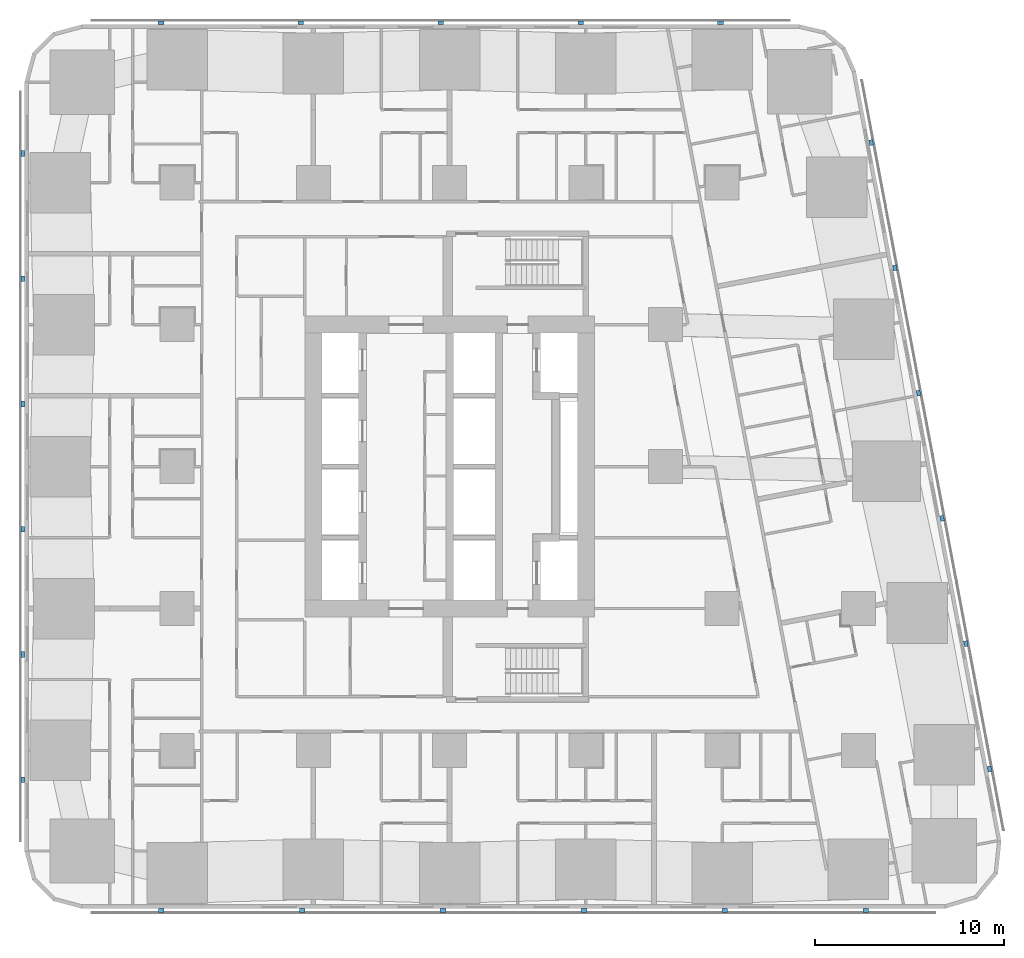
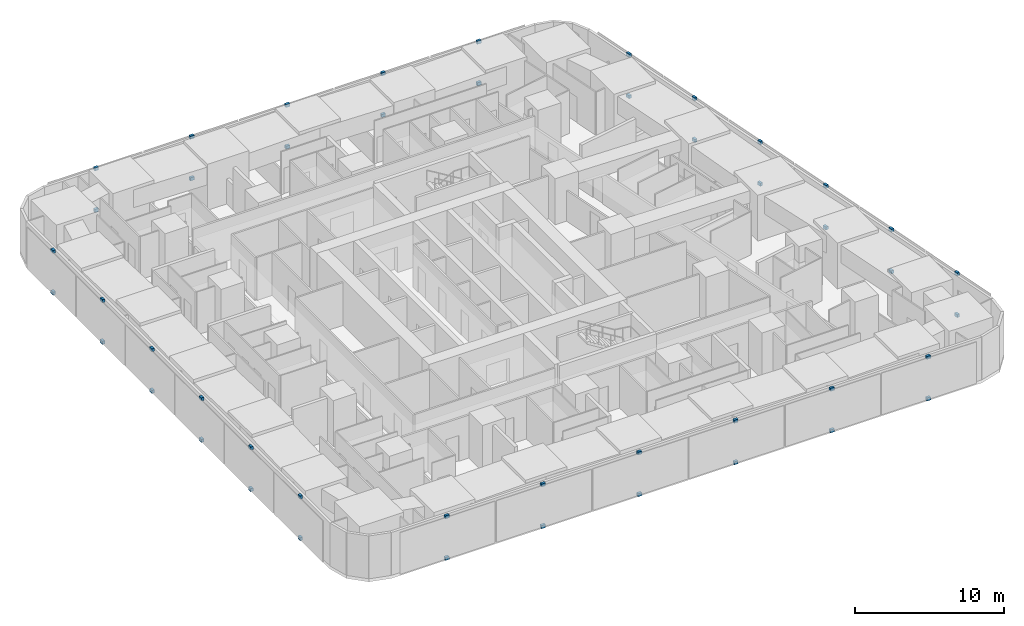
# One storey, part 14 of 17: 46 discrete accessories.
"""IFC4 building model written with IfcOpenShell, lengths in metres."""

from ifc_helpers import new_model, si_unit, direction, frame, origin, origin_2d, place, context, subcontext, project, spatial, rectangle, extrude, material, type_object, element, save


model = new_model("IFC4")

# Units and contexts
model_context = context("Model", 3, precision=1e-05, world=origin(), true_north=direction((0.0, 1.0)))
body_context = subcontext(model_context, "Body", "Model", "MODEL_VIEW")
ifc_project = project(units=[si_unit("LENGTHUNIT", "METRE"), si_unit("AREAUNIT", "SQUARE_METRE"), si_unit("VOLUMEUNIT", "CUBIC_METRE"), si_unit("PLANEANGLEUNIT", "RADIAN"), si_unit("MASSUNIT", "GRAM", prefix="KILO")], contexts=[model_context])

# Site, building, storey
site_placement = place(None, origin())
site = spatial("IfcSite", under=ifc_project, at=site_placement, CompositionType="ELEMENT")
building_placement = place(site_placement, origin())
building = spatial("IfcBuilding", under=site, at=building_placement, Name="Sheger Commons Tower", CompositionType="ELEMENT")
storey_placement = place(building_placement, frame((0.0, 0.0, 23.75)))
storey = spatial("IfcBuildingStorey", under=building, at=storey_placement, Name="L05", CompositionType="ELEMENT", Elevation=23.75)

# Discrete accessories
ifc_material = material(Name="Black painted steel bracket", Category="steel")
discrete_accessory_type = type_object("IfcDiscreteAccessoryType", Name="SCREEN BRACKET 300x200x250", PredefinedType="BRACKET", material=ifc_material)
for number, where, z_axis, x_axis, name in (
    (1, (6.37109375, -0.949951171875, -0.10009765625), (0.0, 0.0, 1.0), (1.0, 0.0, 0.0), "Solar screen foot bracket"),
    (2, (6.37109375, -0.949951171875, 3.300048828125), (0.0, 0.0, 1.0), (1.0, 0.0, 0.0), "Solar screen head bracket"),
    (3, (13.81396484375, -0.949951171875, -0.10009765625), (0.0, 0.0, 1.0), (1.0, 0.0, 0.0), "Solar screen foot bracket"),
    (4, (13.81396484375, -0.949951171875, 3.300048828125), (0.0, 0.0, 1.0), (1.0, 0.0, 0.0), "Solar screen head bracket"),
    (5, (21.257080078125, -0.949951171875, -0.10009765625), (0.0, 0.0, 1.0), (1.0, 0.0, 0.0), "Solar screen foot bracket"),
    (6, (21.257080078125, -0.949951171875, 3.300048828125), (0.0, 0.0, 1.0), (1.0, 0.0, 0.0), "Solar screen head bracket"),
    (7, (28.698974609375, -0.949951171875, -0.10009765625), (0.0, 0.0, 1.0), (1.0, 0.0, 0.0), "Solar screen foot bracket"),
    (8, (28.698974609375, -0.949951171875, 3.300048828125), (0.0, 0.0, 1.0), (1.0, 0.0, 0.0), "Solar screen head bracket"),
    (9, (36.14208984375, -0.949951171875, -0.10009765625), (0.0, 0.0, 1.0), (1.0, 0.0, 0.0), "Solar screen foot bracket"),
    (10, (36.14208984375, -0.949951171875, 3.300048828125), (0.0, 0.0, 1.0), (1.0, 0.0, 0.0), "Solar screen head bracket"),
    (11, (43.5849609375, -0.949951171875, -0.10009765625), (0.0, 0.0, 1.0), (1.0, 0.0, 0.0), "Solar screen foot bracket"),
    (12, (43.5849609375, -0.949951171875, 3.300048828125), (0.0, 0.0, 1.0), (1.0, 0.0, 0.0), "Solar screen head bracket"),
    (13, (50.134033203125, 6.527099609375, -0.10009765625), (0.0, 0.0, 1.0), (-0.185615165645, 0.982622516678, 0.0), "Solar screen foot bracket"),
    (14, (50.134033203125, 6.527099609375, 3.300048828125), (0.0, 0.0, 1.0), (-0.185615165645, 0.982622516678, 0.0), "Solar screen head bracket"),
    (15, (48.884033203125, 13.14599609375, -0.10009765625), (0.0, 0.0, 1.0), (-0.185615165645, 0.982622516678, 0.0), "Solar screen foot bracket"),
    (16, (48.884033203125, 13.14599609375, 3.300048828125), (0.0, 0.0, 1.0), (-0.185615165645, 0.982622516678, 0.0), "Solar screen head bracket"),
    (17, (47.633056640625, 19.76611328125, -0.10009765625), (0.0, 0.0, 1.0), (-0.185615165645, 0.982622516678, 0.0), "Solar screen foot bracket"),
    (18, (47.633056640625, 19.76611328125, 3.300048828125), (0.0, 0.0, 1.0), (-0.185615165645, 0.982622516678, 0.0), "Solar screen head bracket"),
    (19, (46.383056640625, 26.385009765625, -0.10009765625), (0.0, 0.0, 1.0), (-0.185615165645, 0.982622516678, 0.0), "Solar screen foot bracket"),
    (20, (46.383056640625, 26.385009765625, 3.300048828125), (0.0, 0.0, 1.0), (-0.185615165645, 0.982622516678, 0.0), "Solar screen head bracket"),
    (21, (45.133056640625, 33.0048828125, -0.10009765625), (0.0, 0.0, 1.0), (-0.185615165645, 0.982622516678, 0.0), "Solar screen foot bracket"),
    (22, (45.133056640625, 33.0048828125, 3.300048828125), (0.0, 0.0, 1.0), (-0.185615165645, 0.982622516678, 0.0), "Solar screen head bracket"),
    (23, (43.882080078125, 39.6240234375, -0.10009765625), (0.0, 0.0, 1.0), (-0.185615165645, 0.982622516678, 0.0), "Solar screen foot bracket"),
    (24, (43.882080078125, 39.6240234375, 3.300048828125), (0.0, 0.0, 1.0), (-0.185615165645, 0.982622516678, 0.0), "Solar screen head bracket"),
    (25, (35.9208984375, 45.949951171875, -0.10009765625), (0.0, 0.0, 1.0), (-1.0, 0.0, 0.0), "Solar screen foot bracket"),
    (26, (35.9208984375, 45.949951171875, 3.300048828125), (0.0, 0.0, 1.0), (-1.0, 0.0, 0.0), "Solar screen head bracket"),
    (27, (28.528076171875, 45.949951171875, -0.10009765625), (0.0, 0.0, 1.0), (-1.0, 0.0, 0.0), "Solar screen foot bracket"),
    (28, (28.528076171875, 45.949951171875, 3.300048828125), (0.0, 0.0, 1.0), (-1.0, 0.0, 0.0), "Solar screen head bracket"),
    (29, (21.134033203125, 45.949951171875, -0.10009765625), (0.0, 0.0, 1.0), (-1.0, 0.0, 0.0), "Solar screen foot bracket"),
    (30, (21.134033203125, 45.949951171875, 3.300048828125), (0.0, 0.0, 1.0), (-1.0, 0.0, 0.0), "Solar screen head bracket"),
    (31, (13.739990234375, 45.949951171875, -0.10009765625), (0.0, 0.0, 1.0), (-1.0, 0.0, 0.0), "Solar screen foot bracket"),
    (32, (13.739990234375, 45.949951171875, 3.300048828125), (0.0, 0.0, 1.0), (-1.0, 0.0, 0.0), "Solar screen head bracket"),
    (33, (6.346923828125, 45.949951171875, -0.10009765625), (0.0, 0.0, 1.0), (-1.0, 0.0, 0.0), "Solar screen foot bracket"),
    (34, (6.346923828125, 45.949951171875, 3.300048828125), (0.0, 0.0, 1.0), (-1.0, 0.0, 0.0), "Solar screen head bracket"),
    (35, (-0.949951171875, 39.0419921875, -0.10009765625), (0.0, 0.0, 1.0), (0.0, -1.0, 0.0), "Solar screen foot bracket"),
    (36, (-0.949951171875, 39.0419921875, 3.300048828125), (0.0, 0.0, 1.0), (0.0, -1.0, 0.0), "Solar screen head bracket"),
    (37, (-0.949951171875, 32.425048828125, -0.10009765625), (0.0, 0.0, 1.0), (0.0, -1.0, 0.0), "Solar screen foot bracket"),
    (38, (-0.949951171875, 32.425048828125, 3.300048828125), (0.0, 0.0, 1.0), (0.0, -1.0, 0.0), "Solar screen head bracket"),
    (39, (-0.949951171875, 25.80810546875, -0.10009765625), (0.0, 0.0, 1.0), (0.0, -1.0, 0.0), "Solar screen foot bracket"),
    (40, (-0.949951171875, 25.80810546875, 3.300048828125), (0.0, 0.0, 1.0), (0.0, -1.0, 0.0), "Solar screen head bracket"),
    (41, (-0.949951171875, 19.19189453125, -0.10009765625), (0.0, 0.0, 1.0), (0.0, -1.0, 0.0), "Solar screen foot bracket"),
    (42, (-0.949951171875, 19.19189453125, 3.300048828125), (0.0, 0.0, 1.0), (0.0, -1.0, 0.0), "Solar screen head bracket"),
    (43, (-0.949951171875, 12.574951171875, -0.10009765625), (0.0, 0.0, 1.0), (0.0, -1.0, 0.0), "Solar screen foot bracket"),
    (44, (-0.949951171875, 12.574951171875, 3.300048828125), (0.0, 0.0, 1.0), (0.0, -1.0, 0.0), "Solar screen head bracket"),
    (45, (-0.949951171875, 5.9580078125, -0.10009765625), (0.0, 0.0, 1.0), (0.0, -1.0, 0.0), "Solar screen foot bracket"),
    (46, (-0.949951171875, 5.9580078125, 3.300048828125), (0.0, 0.0, 1.0), (0.0, -1.0, 0.0), "Solar screen head bracket"),
):
    element("IfcDiscreteAccessory", number, at=place(storey_placement, frame(where, z_axis=z_axis, x_axis=x_axis)), inside=storey, type_object=discrete_accessory_type, Name=name, PredefinedType="BRACKET", context=body_context, shape_type="SweptSolid", body=[
        extrude(rectangle(XDim=0.300048828125, YDim=0.199951171875, at=origin_2d()), origin(), (0.0, 0.0, 1.0), 0.25),
    ])

save(model, "model.ifc")
